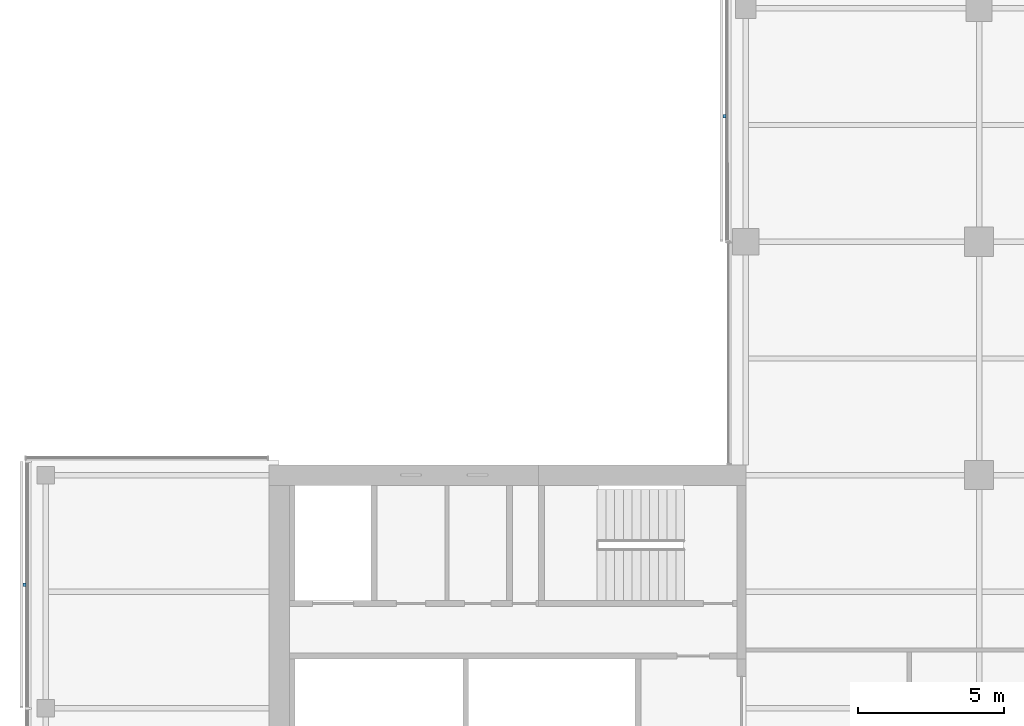
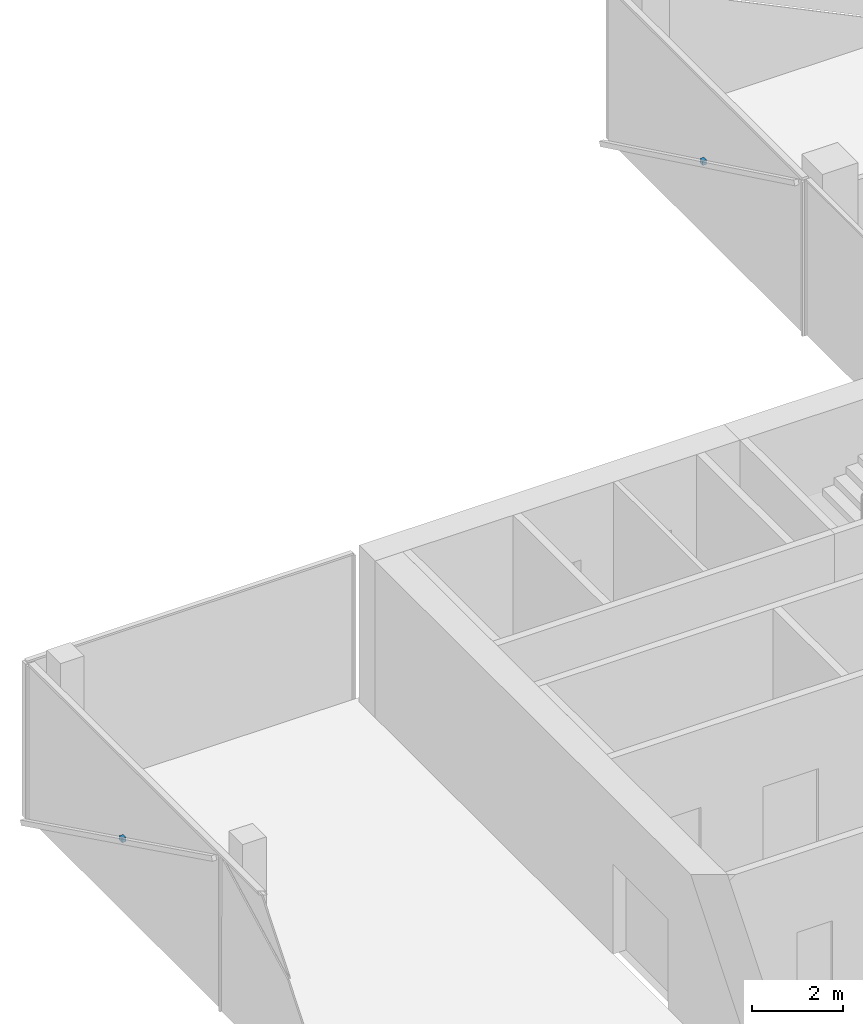
# One storey, part 19 of 22: 2 discrete accessories.
"""IFC4 building model written with IfcOpenShell, lengths in metres."""

from ifc_helpers import new_model, si_unit, direction, frame, origin, origin_2d, place, context, subcontext, project, spatial, rectangle, extrude, material, type_object, element, save


model = new_model("IFC4")

# Units and contexts
model_context = context("Model", 3, precision=1e-05, world=origin(), true_north=direction((0.0, 1.0)))
body_context = subcontext(model_context, "Body", "Model", "MODEL_VIEW")
ifc_project = project(units=[si_unit("LENGTHUNIT", "METRE"), si_unit("AREAUNIT", "SQUARE_METRE"), si_unit("VOLUMEUNIT", "CUBIC_METRE"), si_unit("PLANEANGLEUNIT", "RADIAN"), si_unit("MASSUNIT", "GRAM", prefix="KILO")], contexts=[model_context])

# Site, building, storey
site_placement = place(None, origin())
site = spatial("IfcSite", under=ifc_project, at=site_placement, CompositionType="ELEMENT")
building_placement = place(site_placement, origin())
building = spatial("IfcBuilding", under=site, at=building_placement, Name="Crosswind Convention Tower", CompositionType="ELEMENT")
storey_placement = place(building_placement, frame((0.0, 0.0, 142.10009765625)))
storey = spatial("IfcBuildingStorey", under=building, at=storey_placement, Name="L29", CompositionType="ELEMENT", Elevation=142.10009765625)

# Discrete accessories
ifc_material = material(Name="Stainless steel", Category="steel")
discrete_accessory_type = type_object("IfcDiscreteAccessoryType", Name="BAGUETTE BRACKET BK3", PredefinedType="BRACKET", material=ifc_material)
for number, where, z_axis, x_axis, name in (
    (1, (112.27392578125, 124.304931640625, 1.704833984375), (0.0, 0.0, 1.0), (0.0, -1.0, 0.0), "BK3 baguette bracket"),
    (2, (88.27392578125, 108.232421875, 1.704833984375), (0.0, 0.0, 1.0), (0.0, -1.0, 0.0), "BK3 baguette bracket"),
):
    element("IfcDiscreteAccessory", number, at=place(storey_placement, frame(where, z_axis=z_axis, x_axis=x_axis)), inside=storey, type_object=discrete_accessory_type, Name=name, PredefinedType="BRACKET", context=body_context, shape_type="SweptSolid", body=[
        extrude(rectangle(XDim=0.1201171875, YDim=0.10009765625, at=origin_2d()), origin(), (0.0, 0.0, 1.0), 0.1201171875),
    ])

save(model, "model.ifc")
